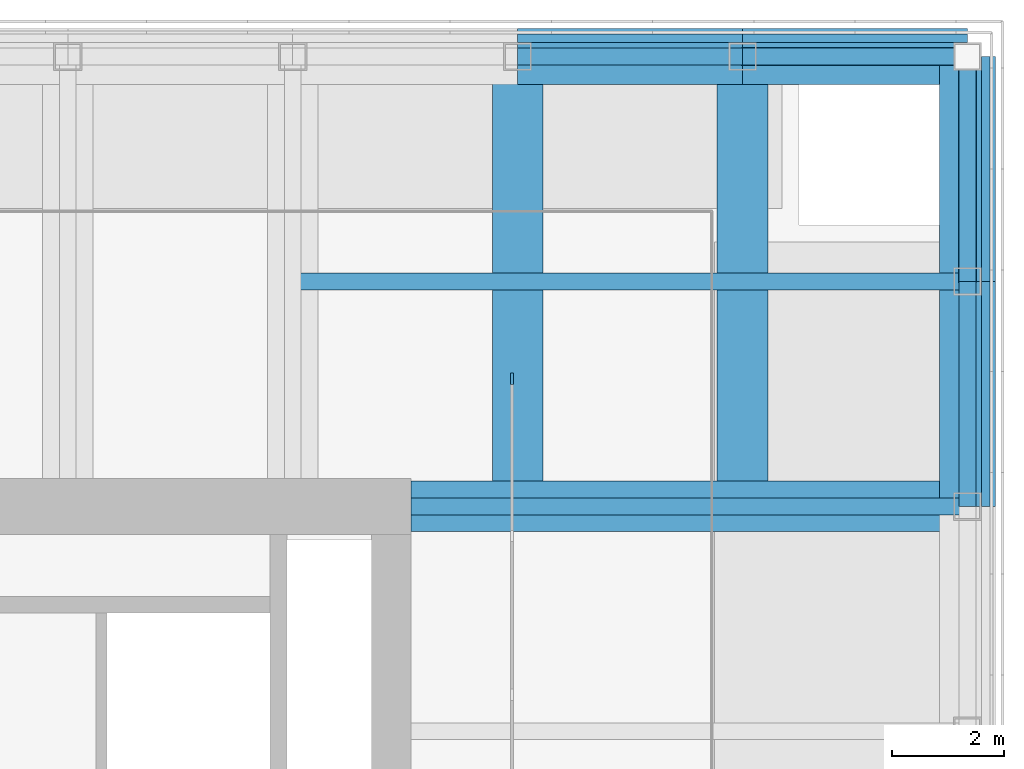
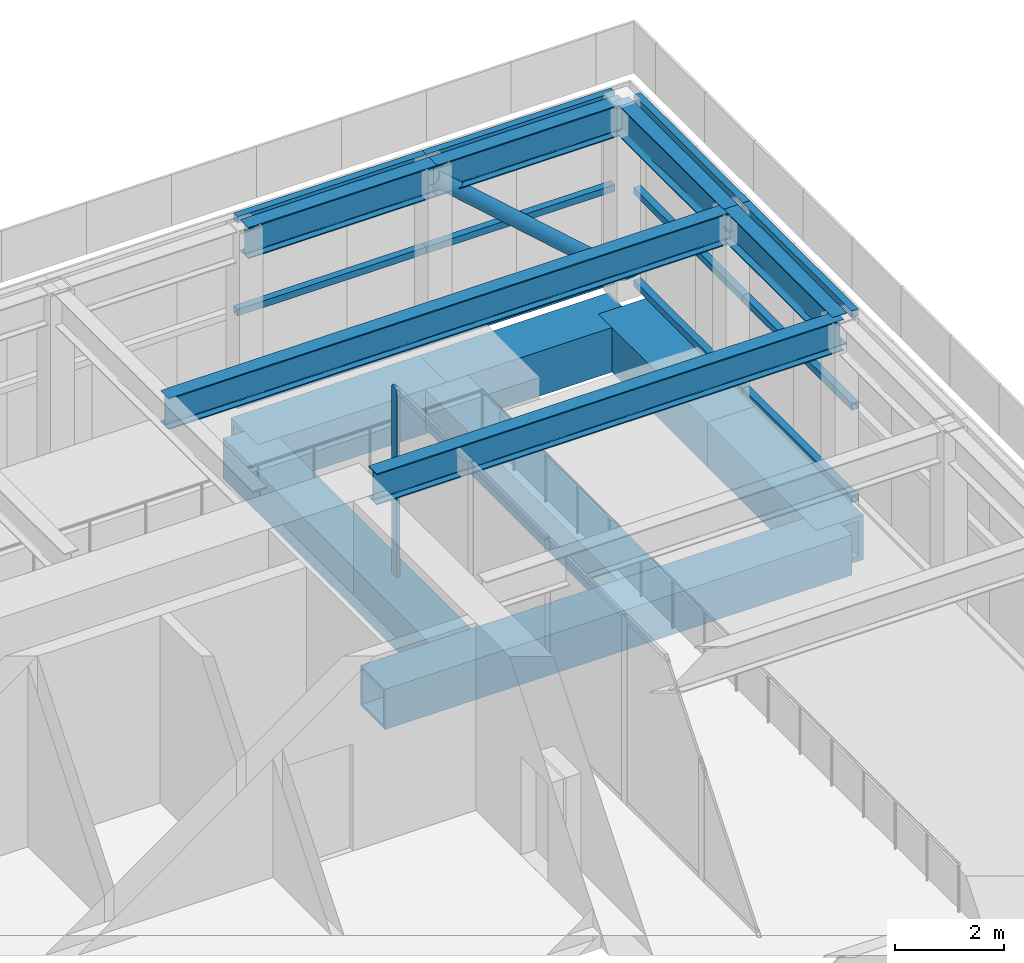
# One storey, part 6 of 11: 15 members, 13 beams, 1 element without a shape of its own.
"""IFC4 building model written with IfcOpenShell, lengths in metres."""

import ifcopenshell
import ifcopenshell.guid

model = None  # the IFC model being written
_history = None  # IfcOwnerHistory: only IFC2X3 demands one
_inside = {}  # id of a spatial element -> (the spatial element, [elements in it])
_under = {}  # id of a project, library or spatial element -> (it, [spatial elements below it])
_declared = {}  # id of a project -> (the project, [libraries it declares])
_typed = {}  # id of a type object -> (the type object, [elements of that type])
_made_of = {}  # id of a material, layer set ... -> (it, [elements and type objects made of it])


def new_model(schema):
    """Start an empty IFC model of exactly this schema.

    Asked for "IFC4X3", IfcOpenShell would pick the latest addendum, in which some entities
    have other attributes; the version numbers below select the first issue.
    IFC2X3 requires an IfcOwnerHistory on every rooted entity: one is made here for all.
    """
    global model, _history
    if schema == "IFC4X3":
        model = ifcopenshell.file(schema_version=(4, 3, 0, 0))
    else:
        model = ifcopenshell.file(schema=schema)
    _inside.clear()
    _under.clear()
    _declared.clear()
    _typed.clear()
    _made_of.clear()
    _history = None
    if model.schema == "IFC2X3":
        org = make("IfcOrganization", Name="unknown")
        user = make(
            "IfcPersonAndOrganization",
            ThePerson=make("IfcPerson", FamilyName="unknown"),
            TheOrganization=org,
        )
        app = make(
            "IfcApplication",
            ApplicationDeveloper=org,
            Version="unknown",
            ApplicationFullName="unknown",
            ApplicationIdentifier="unknown",
        )
        _history = make(
            "IfcOwnerHistory",
            OwningUser=user,
            OwningApplication=app,
            ChangeAction="ADDED",
            CreationDate=0,
        )
    return model


def make(cls, **values):
    """One entity of the class cls with the attributes given. An attribute that is None is left unset."""
    return model.create_entity(
        cls, **{name: value for name, value in values.items() if value is not None}
    )


def rooted(cls, **values):
    """An entity with a GlobalId (a new one), such as an element, a storey or a relation."""
    return make(cls, GlobalId=ifcopenshell.guid.new(), OwnerHistory=_history, **values)


def si_unit(unit_type, name, prefix=None):
    """IfcSIUnit, for example si_unit("LENGTHUNIT", "METRE", prefix="MILLI")."""
    return make("IfcSIUnit", UnitType=unit_type, Prefix=prefix, Name=name)


def assignment(units):
    """IfcUnitAssignment: the units of a project."""
    return None if units is None else make("IfcUnitAssignment", Units=units)


def point(xyz):
    """IfcCartesianPoint."""
    return None if xyz is None else make("IfcCartesianPoint", Coordinates=xyz)


def direction(xyz):
    """IfcDirection."""
    return None if xyz is None else make("IfcDirection", DirectionRatios=xyz)


def frame(location, z_axis=None, x_axis=None):
    """IfcAxis2Placement3D, a coordinate frame: its origin and axes. An axis left out is left unset."""
    return make(
        "IfcAxis2Placement3D",
        Location=point(location),
        Axis=direction(z_axis),
        RefDirection=direction(x_axis),
    )


def frame_2d(location, x_axis=None):
    """IfcAxis2Placement2D, a coordinate frame in the plane: its origin and x axis."""
    return make(
        "IfcAxis2Placement2D", Location=point(location), RefDirection=direction(x_axis)
    )


def origin():
    """The frame at (0, 0, 0) with its axes left unset."""
    return frame((0.0, 0.0, 0.0))


def origin_2d():
    """The frame at (0, 0) in the plane with its x axis left unset."""
    return frame_2d((0.0, 0.0))


def place(relative_to, where):
    """IfcLocalPlacement: puts the frame where relative to a parent placement (None: the world)."""
    return make(
        "IfcLocalPlacement", PlacementRelTo=relative_to, RelativePlacement=where
    )


def context(
    kind, dimensions, precision=None, world=None, true_north=None, identifier=None
):
    """IfcGeometricRepresentationContext, for example the 3D "Model" context."""
    return make(
        "IfcGeometricRepresentationContext",
        ContextIdentifier=identifier,
        ContextType=kind,
        CoordinateSpaceDimension=dimensions,
        Precision=precision,
        WorldCoordinateSystem=world,
        TrueNorth=true_north,
    )


def subcontext(parent, identifier, kind, view, scale=None):
    """IfcGeometricRepresentationSubContext, for example "Body" below "Model"."""
    return make(
        "IfcGeometricRepresentationSubContext",
        ContextIdentifier=identifier,
        ContextType=kind,
        ParentContext=parent,
        TargetScale=scale,
        TargetView=view,
    )


def project(units=None, contexts=None):
    """IfcProject with its units and contexts."""
    return rooted(
        "IfcProject",
        Name="project",
        RepresentationContexts=contexts,
        UnitsInContext=assignment(units),
    )


def spatial(cls, under=None, at=None, **own):
    """A site, building, storey or space (cls), placed at a placement, below another one or the project."""
    s = rooted(cls, ObjectPlacement=at, **own)
    if under is not None:
        _under.setdefault(under.id(), (under, []))[1].append(s)
    return s


def profile(cls, at=None, kind="AREA", **sizes):
    """A parametric profile (cls). Its sizes go by their IFC names, for example OverallWidth=200.0."""
    return make(cls, ProfileType=kind, Position=at, **sizes)


def rectangle(**sizes):
    """IfcRectangleProfileDef."""
    return profile("IfcRectangleProfileDef", **sizes)


def hollow_rectangle(**sizes):
    """IfcRectangleHollowProfileDef."""
    return profile("IfcRectangleHollowProfileDef", **sizes)


def hollow_circle(**sizes):
    """IfcCircleHollowProfileDef."""
    return profile("IfcCircleHollowProfileDef", **sizes)


def i_section(**sizes):
    """IfcIShapeProfileDef."""
    return profile("IfcIShapeProfileDef", **sizes)


def extrude(swept, where, along, depth):
    """IfcExtrudedAreaSolid: the profile swept, set in the frame where, extruded along a direction by depth."""
    return make(
        "IfcExtrudedAreaSolid",
        SweptArea=swept,
        Position=where,
        ExtrudedDirection=direction(along),
        Depth=depth,
    )


def shape(context_of_items, identifier, shape_type, items):
    """IfcShapeRepresentation: the items that make up one representation, for example the "Body"."""
    return make(
        "IfcShapeRepresentation",
        ContextOfItems=context_of_items,
        RepresentationIdentifier=identifier,
        RepresentationType=shape_type,
        Items=items,
    )


def material(Name=None, Category=None):
    """IfcMaterial."""
    return make("IfcMaterial", Name=Name, Category=Category)


def material_profile(
    of_material, cross_section, Name=None, Category=None, Priority=None
):
    """IfcMaterialProfile: a cross section and its material."""
    return make(
        "IfcMaterialProfile",
        Name=Name,
        Material=of_material,
        Profile=cross_section,
        Priority=Priority,
        Category=Category,
    )


def profile_set(profiles, Name=None, composite=None):
    """IfcMaterialProfileSet."""
    return make(
        "IfcMaterialProfileSet",
        Name=Name,
        MaterialProfiles=profiles,
        CompositeProfile=composite,
    )


def made_of(thing, what):
    """Note that an element or type object is made of a material, layer set ...; save() writes the relation."""
    if what is not None:
        _made_of.setdefault(what.id(), (what, []))[1].append(thing)
    return thing


def type_object(cls, material=None, **own):
    """A type object (cls), such as IfcWallType, which elements share."""
    return made_of(rooted(cls, **own), material)


def element(
    cls,
    number,
    at=None,
    inside=None,
    cuts=None,
    type_object=None,
    material=None,
    context=None,
    identifier="Body",
    shape_type=None,
    held_by="IfcProductDefinitionShape",
    body=None,
    shapes=None,
    **own,
):
    """One element of the class cls, such as IfcWall. Its Tag is "e" and its number.

    at: its placement. inside: the storey or other place that contains it. cuts: it is an
    opening in that element (IfcRelVoidsElement). A single representation is given by context,
    identifier, shape_type and body (its items); several are given by shapes. held_by: the class
    of the entity that holds the representations. save() writes the other relations.
    """
    e = rooted(cls, Tag="e%d" % number, ObjectPlacement=at, **own)
    if body is not None:
        shapes = [shape(context, identifier, shape_type, body)]
    if shapes is not None:
        e.Representation = make(held_by, Representations=shapes)
    if inside is not None:
        _inside.setdefault(inside.id(), (inside, []))[1].append(e)
    if cuts is not None:
        rooted(
            "IfcRelVoidsElement", RelatingBuildingElement=cuts, RelatedOpeningElement=e
        )
    if type_object is not None:
        _typed.setdefault(type_object.id(), (type_object, []))[1].append(e)
    return made_of(e, material)


def aggregate(whole, parts):
    """IfcRelAggregates: a whole, such as a stair, and the parts it consists of."""
    return rooted("IfcRelAggregates", RelatingObject=whole, RelatedObjects=parts)


def save(model, path):
    """Write the relations noted so far, then the file.

    IfcRelAggregates (storeys below a building ...), IfcRelContainedInSpatialStructure (elements
    in a storey), IfcRelDefinesByType, IfcRelAssociatesMaterial and IfcRelDeclares: one each for
    every whole, place, type object, material and project.
    """
    for whole, parts in _under.values():
        aggregate(whole, parts)
    for where, things in _inside.values():
        rooted(
            "IfcRelContainedInSpatialStructure",
            RelatedElements=things,
            RelatingStructure=where,
        )
    for kind, things in _typed.values():
        rooted("IfcRelDefinesByType", RelatedObjects=things, RelatingType=kind)
    for what, things in _made_of.values():
        rooted("IfcRelAssociatesMaterial", RelatedObjects=things, RelatingMaterial=what)
    for by, libraries in _declared.values():
        rooted("IfcRelDeclares", RelatingContext=by, RelatedDefinitions=libraries)
    model.write(path)


model = new_model("IFC4")

# Units and contexts
model_context = context("Model", 3, precision=1e-05, world=origin(), true_north=direction((0.0, 1.0)))
body_context = subcontext(model_context, "Body", "Model", "MODEL_VIEW")
ifc_project = project(units=[si_unit("LENGTHUNIT", "METRE"), si_unit("AREAUNIT", "SQUARE_METRE"), si_unit("VOLUMEUNIT", "CUBIC_METRE"), si_unit("PLANEANGLEUNIT", "RADIAN"), si_unit("MASSUNIT", "GRAM", prefix="KILO")], contexts=[model_context])

# Site, building, storey
site_placement = place(None, origin())
site = spatial("IfcSite", under=ifc_project, at=site_placement, CompositionType="ELEMENT")
building_placement = place(site_placement, origin())
building = spatial("IfcBuilding", under=site, at=building_placement, Name="Rimbunsela Tower", CompositionType="ELEMENT")
storey_placement = place(building_placement, frame((0.0, 0.0, 304.199951171875)))
storey = spatial("IfcBuildingStorey", under=building, at=storey_placement, Name="RF", CompositionType="ELEMENT", Elevation=304.199951171875)

# Beams
ifc_material_1 = material(Name="Steel BJ 55 (fy 410 MPa)", Category="steel")
ifc_material_profile_1 = material_profile(ifc_material_1, hollow_rectangle(XDim=1.0, YDim=1.0, WallThickness=0.10009765625, at=origin_2d()), Name="BOX 1000x1000x100")
ifc_profile_set_1 = profile_set([ifc_material_profile_1], Name="Steel BJ 55 (fy 410 MPa)")
beam_type_1 = type_object("IfcBeamType", Name="Beam BOX 1000x1000x100", PredefinedType="BEAM", material=ifc_profile_set_1)
for number, where, z_axis, x_axis, name in (
    (1, (38.0, 44.0, -0.800048828125), (1.0, 0.0, 0.0), (0.0, 1.0, 0.0), "Beam B3 RF"),
    (2, (42.0, 44.0, -0.800048828125), (1.0, 0.0, 0.0), (0.0, 1.0, 0.0), "Beam B3 RF"),
    (3, (46.0, 36.0, -0.800048828125), (0.0, 1.0, 0.0), (-1.0, 0.0, 0.0), "Beam B3 RF"),
    (4, (46.0, 40.0, -0.800048828125), (0.0, 1.0, 0.0), (-1.0, 0.0, 0.0), "Beam B3 RF"),
):
    element("IfcBeam", number, at=place(storey_placement, frame(where, z_axis=z_axis, x_axis=x_axis)), inside=storey, type_object=beam_type_1, Name=name, PredefinedType="BEAM", context=body_context, shape_type="SweptSolid", body=[
        extrude(hollow_rectangle(XDim=1.0, YDim=1.0, WallThickness=0.10009765625, at=origin_2d()), origin(), (0.0, 0.0, 1.0), 4.0),
    ])
ifc_material_2 = material(Name="Steel BJ 55 (fy 410 MPa)", Category="steel")
ifc_material_profile_2 = material_profile(ifc_material_2, hollow_rectangle(XDim=0.89990234375, YDim=0.89990234375, WallThickness=0.06005859375, at=origin_2d()), Name="BOX 900x900x60")
ifc_profile_set_2 = profile_set([ifc_material_profile_2], Name="Steel BJ 55 (fy 410 MPa)")
beam_type_2 = type_object("IfcBeamType", Name="Beam BOX 900x900x60", PredefinedType="BEAM", material=ifc_profile_set_2)
beam_1_placement = place(storey_placement, frame((36.10009765625, 36.0, -0.75), z_axis=(1.0, 0.0, 0.0), x_axis=(0.0, 1.0, 0.0)))
element("IfcBeam", 5, at=beam_1_placement, inside=storey, type_object=beam_type_2, Name="Beam B1 RF", PredefinedType="BEAM", context=body_context, shape_type="SweptSolid", body=[
    extrude(hollow_rectangle(XDim=0.89990234375, YDim=0.89990234375, WallThickness=0.06005859375, at=origin_2d()), origin(), (0.0, 0.0, 1.0), 9.89990234375),
])
for number, where, z_axis, x_axis, name in (
    (6, (38.0, 36.449951171875, -0.75), (0.0, 1.0, 0.0), (-1.0, 0.0, 0.0), "Beam B1 RF"),
    (7, (42.0, 36.449951171875, -0.75), (0.0, 1.0, 0.0), (-1.0, 0.0, 0.0), "Beam B1 RF"),
):
    element("IfcBeam", number, at=place(storey_placement, frame(where, z_axis=z_axis, x_axis=x_axis)), inside=storey, type_object=beam_type_2, Name=name, PredefinedType="BEAM", context=body_context, shape_type="SweptSolid", body=[
        extrude(hollow_rectangle(XDim=0.89990234375, YDim=0.89990234375, WallThickness=0.06005859375, at=origin_2d()), origin(), (0.0, 0.0, 1.0), 7.550048828125),
    ])
ifc_material_3 = material(Name="Steel BJ 55 (fy 410 MPa)", Category="steel")
ifc_material_profile_3 = material_profile(ifc_material_3, i_section(OverallWidth=0.300048828125, OverallDepth=0.699951171875, WebThickness=0.012939453125, FlangeThickness=0.02392578125, FilletRadius=0.028076171875, at=origin_2d()), Name="H 700x300x13x24")
ifc_profile_set_3 = profile_set([ifc_material_profile_3], Name="Steel BJ 55 (fy 410 MPa)")
beam_type_3 = type_object("IfcBeamType", Name="Crown frame beam H 700x300x13x24", PredefinedType="BEAM", material=ifc_profile_set_3)
for number, where, z_axis, x_axis, name in (
    (8, (38.0, 44.0, 4.0), (1.0, 0.0, 0.0), (0.0, 1.0, 0.0), "Crown frame edge beam CB1"),
    (9, (42.0, 44.0, 4.0), (1.0, 0.0, 0.0), (0.0, 1.0, 0.0), "Crown frame edge beam CB1"),
    (10, (46.0, 36.0, 4.0), (0.0, 1.0, 0.0), (-1.0, 0.0, 0.0), "Crown frame edge beam CB1"),
    (11, (46.0, 40.0, 4.0), (0.0, 1.0, 0.0), (-1.0, 0.0, 0.0), "Crown frame edge beam CB1"),
):
    element("IfcBeam", number, at=place(storey_placement, frame(where, z_axis=z_axis, x_axis=x_axis)), inside=storey, type_object=beam_type_3, Name=name, PredefinedType="BEAM", context=body_context, shape_type="SweptSolid", body=[
        extrude(i_section(OverallWidth=0.300048828125, OverallDepth=0.699951171875, WebThickness=0.012939453125, FlangeThickness=0.02392578125, FilletRadius=0.028076171875, at=origin_2d()), origin(), (0.0, 0.0, 1.0), 4.0),
    ])
beam_2_placement = place(storey_placement, frame((46.0, 36.0, 4.0), z_axis=(-1.0, 0.0, 0.0), x_axis=(0.0, -1.0, 0.0)))
element("IfcBeam", 12, at=beam_2_placement, inside=storey, type_object=beam_type_3, Name="Crown frame beam CB1", PredefinedType="BEAM", context=body_context, shape_type="SweptSolid", body=[
    extrude(i_section(OverallWidth=0.300048828125, OverallDepth=0.699951171875, WebThickness=0.012939453125, FlangeThickness=0.02392578125, FilletRadius=0.028076171875, at=origin_2d()), origin(), (0.0, 0.0, 1.0), 9.89990234375),
])

# Members
ifc_material_4 = material(Name="Steel BJ 55 (fy 410 MPa)", Category="steel")
ifc_material_profile_4 = material_profile(ifc_material_4, hollow_circle(Radius=0.1591796875, WallThickness=0.01025390625, at=origin_2d()), Name="CHS 318.5x10.3")
ifc_profile_set_4 = profile_set([ifc_material_profile_4], Name="Steel BJ 55 (fy 410 MPa)")
member_type_1 = type_object("IfcMemberType", Name="Crown frame brace CHS 318.5x10.3", PredefinedType="BRACE", material=ifc_profile_set_4)
for number, where, z_axis, x_axis, name in (
    (13, (46.0, 44.0, 0.449951171875), (-0.747920371053, 0.0, 0.663788459197), (0.0, -1.0, 0.0), "Crown frame brace CX1"),
    (14, (46.0, 44.0, 0.449951171875), (0.0, -0.747920371053, 0.663788459197), (1.0, 0.0, 0.0), "Crown frame brace CX1"),
):
    element("IfcMember", number, at=place(storey_placement, frame(where, z_axis=z_axis, x_axis=x_axis)), inside=storey, type_object=member_type_1, Name=name, PredefinedType="BRACE", context=body_context, shape_type="SweptSolid", body=[
        extrude(hollow_circle(Radius=0.1591796875, WallThickness=0.01025390625, at=origin_2d()), origin(), (0.0, 0.0, 1.0), 5.34814453125),
    ])

# Beam
ifc_material_5 = material(Name="Steel BJ 55 (fy 410 MPa)", Category="steel")
ifc_material_profile_5 = material_profile(ifc_material_5, i_section(OverallWidth=0.300048828125, OverallDepth=0.699951171875, WebThickness=0.012939453125, FlangeThickness=0.02392578125, FilletRadius=0.028076171875, at=origin_2d()), Name="H 700x300x13x24")
ifc_profile_set_5 = profile_set([ifc_material_profile_5], Name="Steel BJ 55 (fy 410 MPa)")
beam_type_4 = type_object("IfcBeamType", Name="Crown frame purlin H 700x300x13x24", PredefinedType="BEAM", material=ifc_profile_set_5)
beam_3_placement = place(storey_placement, frame((34.0, 40.0, 4.0), z_axis=(1.0, 0.0, 0.0), x_axis=(0.0, 1.0, 0.0)))
element("IfcBeam", 15, at=beam_3_placement, inside=storey, type_object=beam_type_4, Name="Crown frame purlin PU1", PredefinedType="BEAM", context=body_context, shape_type="SweptSolid", body=[
    extrude(i_section(OverallWidth=0.300048828125, OverallDepth=0.699951171875, WebThickness=0.012939453125, FlangeThickness=0.02392578125, FilletRadius=0.028076171875, at=origin_2d()), origin(), (0.0, 0.0, 1.0), 12.0),
])

# Members
ifc_material_6 = material(Name="Steel BJ 55 (fy 410 MPa)", Category="steel")
ifc_material_profile_6 = material_profile(ifc_material_6, hollow_rectangle(XDim=0.14990234375, YDim=0.14990234375, WallThickness=0.006103515625, at=origin_2d()), Name="SHS 150x150x6.0")
ifc_profile_set_6 = profile_set([ifc_material_profile_6], Name="Steel BJ 55 (fy 410 MPa)")
member_type_2 = type_object("IfcMemberType", Name="Crown screen rail SHS 150x150x6.0", PredefinedType="MEMBER", material=ifc_profile_set_6)
for number, where, z_axis, x_axis, name in (
    (16, (38.0, 44.324951171875, 0.125), (1.0, 0.0, 0.0), (0.0, 1.0, 0.0), "Crown screen rail SR1"),
    (17, (38.0, 44.324951171875, 2.199951171875), (1.0, 0.0, 0.0), (0.0, 1.0, 0.0), "Crown screen rail SR1"),
    (18, (38.0, 44.324951171875, 4.275146484375), (1.0, 0.0, 0.0), (0.0, 1.0, 0.0), "Crown screen rail SR1"),
    (19, (42.0, 44.324951171875, 0.125), (1.0, 0.0, 0.0), (0.0, 1.0, 0.0), "Crown screen rail SR1"),
    (20, (42.0, 44.324951171875, 2.199951171875), (1.0, 0.0, 0.0), (0.0, 1.0, 0.0), "Crown screen rail SR1"),
    (21, (42.0, 44.324951171875, 4.275146484375), (1.0, 0.0, 0.0), (0.0, 1.0, 0.0), "Crown screen rail SR1"),
    (22, (46.324951171875, 36.0, 0.125), (0.0, 1.0, 0.0), (-1.0, 0.0, 0.0), "Crown screen rail SR1"),
    (23, (46.324951171875, 36.0, 2.199951171875), (0.0, 1.0, 0.0), (-1.0, 0.0, 0.0), "Crown screen rail SR1"),
    (24, (46.324951171875, 36.0, 4.275146484375), (0.0, 1.0, 0.0), (-1.0, 0.0, 0.0), "Crown screen rail SR1"),
    (25, (46.324951171875, 40.0, 0.125), (0.0, 1.0, 0.0), (-1.0, 0.0, 0.0), "Crown screen rail SR1"),
    (26, (46.324951171875, 40.0, 2.199951171875), (0.0, 1.0, 0.0), (-1.0, 0.0, 0.0), "Crown screen rail SR1"),
    (27, (46.324951171875, 40.0, 4.275146484375), (0.0, 1.0, 0.0), (-1.0, 0.0, 0.0), "Crown screen rail SR1"),
):
    element("IfcMember", number, at=place(storey_placement, frame(where, z_axis=z_axis, x_axis=x_axis)), inside=storey, type_object=member_type_2, Name=name, PredefinedType="MEMBER", context=body_context, shape_type="SweptSolid", body=[
        extrude(hollow_rectangle(XDim=0.14990234375, YDim=0.14990234375, WallThickness=0.006103515625, at=origin_2d()), origin(), (0.0, 0.0, 1.0), 4.0),
    ])

# Curtain wall, member
ifc_material_7 = material(Name="Aluminium curtain wall", Category="aluminium")
curtain_wall_type = type_object("IfcCurtainWallType", Name="Crown glazing", PredefinedType="USERDEFINED", material=ifc_material_7)
curtain_wall_placement = place(storey_placement, origin())
curtain_wall = element("IfcCurtainWall", 28, at=curtain_wall_placement, inside=storey, type_object=curtain_wall_type, Name="Crown glazing RF", ObjectType="CROWN GLAZING", PredefinedType="USERDEFINED")
ifc_material_8 = material(Name="Aluminium mullion", Category="aluminium")
ifc_material_profile_7 = material_profile(ifc_material_8, rectangle(XDim=0.06005859375, YDim=0.199951171875, at=origin_2d()), Name="Mullion 60x200")
ifc_profile_set_7 = profile_set([ifc_material_profile_7], Name="Aluminium mullion")
member_type_3 = type_object("IfcMemberType", Name="Curtain wall mullion 60x200", PredefinedType="MULLION", material=ifc_profile_set_7)
member_placement = place(storey_placement, frame((37.89990234375, 38.27001953125, 0.0), z_axis=(0.0, 0.0, 1.0), x_axis=(-1.0, 0.0, 0.0)))
member = element("IfcMember", 29, at=member_placement, type_object=member_type_3, Name="CW6 mullion 9", PredefinedType="MULLION", context=body_context, shape_type="SweptSolid", body=[
    extrude(rectangle(XDim=0.06005859375, YDim=0.199951171875, at=origin_2d()), origin(), (0.0, 0.0, 1.0), 4.199951171875),
])
aggregate(curtain_wall, [member])

save(model, "model.ifc")
